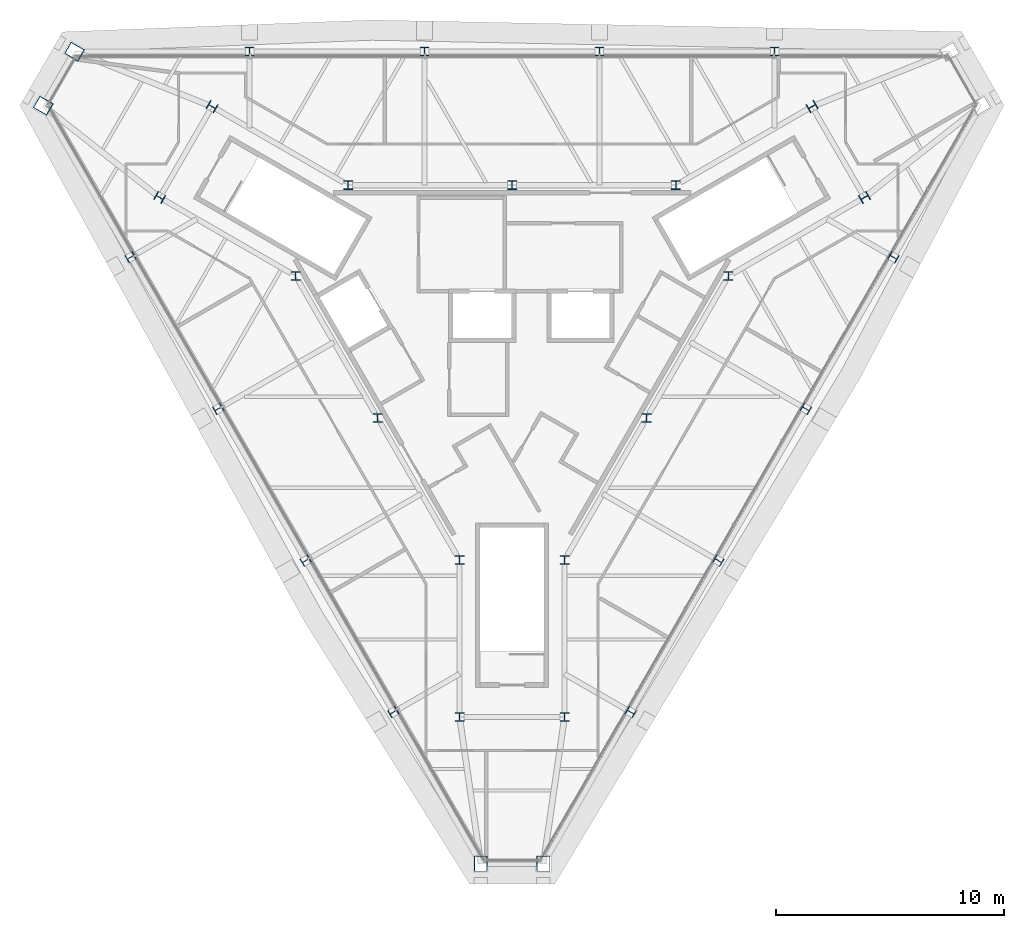
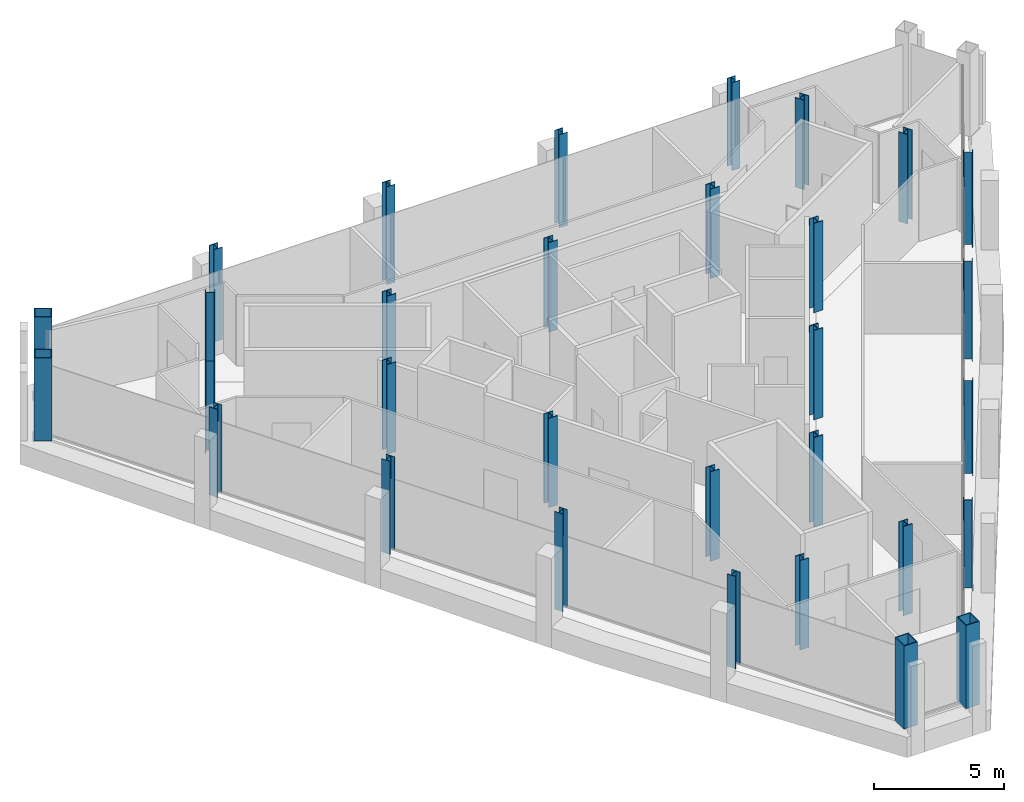
# One storey, part 1 of 11: 31 columns.
"""IFC4 building model written with IfcOpenShell, lengths in metres."""

from ifc_helpers import new_model, si_unit, direction, frame, origin, origin_2d, place, context, subcontext, project, spatial, hollow_rectangle, i_section, extrude, material, material_profile, profile_set, type_object, element, save


model = new_model("IFC4")

# Units and contexts
model_context = context("Model", 3, precision=1e-05, world=origin(), true_north=direction((0.0, 1.0)))
body_context = subcontext(model_context, "Body", "Model", "MODEL_VIEW")
ifc_project = project(units=[si_unit("LENGTHUNIT", "METRE"), si_unit("AREAUNIT", "SQUARE_METRE"), si_unit("VOLUMEUNIT", "CUBIC_METRE"), si_unit("PLANEANGLEUNIT", "RADIAN"), si_unit("MASSUNIT", "GRAM", prefix="KILO")], contexts=[model_context])

# Site, building, storey
site_placement = place(None, origin())
site = spatial("IfcSite", under=ifc_project, at=site_placement, CompositionType="ELEMENT")
building_placement = place(site_placement, origin())
building = spatial("IfcBuilding", under=site, at=building_placement, Name="Verrane Prism Tower", CompositionType="ELEMENT")
storey_placement = place(building_placement, frame((0.0, 0.0, 329.39990234375)))
storey = spatial("IfcBuildingStorey", under=building, at=storey_placement, Name="L83", CompositionType="ELEMENT", Elevation=329.39990234375)

# Columns
ifc_material_1 = material(Name="Steel A992", Category="steel")
ifc_material_profile_1 = material_profile(ifc_material_1, i_section(OverallWidth=0.398681640625, OverallDepth=0.385986328125, WebThickness=0.02099609375, FlangeThickness=0.033203125, FilletRadius=0.01513671875, at=origin_2d()), Name="W14x176")
ifc_profile_set_1 = profile_set([ifc_material_profile_1], Name="Steel A992")
column_type_1 = type_object("IfcColumnType", Name="Core corner column W14x176", PredefinedType="COLUMN", material=ifc_profile_set_1)
for number, where, z_axis, x_axis, name in (
    (1, (15.43994140625, 6.260009765625, 0.0), (0.0, 0.0, 1.0), (0.5, -0.866025403784, 0.0), "Core corner column CK-NEm L83"),
    (2, (13.139892578125, 10.239990234375, 0.0), (0.0, 0.0, 1.0), (0.5, -0.866025403784, 0.0), "Core corner column CK-NEp L83"),
    (3, (-13.139892578125, 10.239990234375, 0.0), (0.0, 0.0, 1.0), (0.5, 0.866025403784, 0.0), "Core corner column CK-NWm L83"),
    (4, (-15.43994140625, 6.260009765625, 0.0), (0.0, 0.0, 1.0), (0.5, 0.866025403784, 0.0), "Core corner column CK-NWp L83"),
    (5, (-2.300048828125, -16.5, 0.0), (0.0, 0.0, 1.0), (-1.0, 0.0, 0.0), "Core corner column CK-Sm L83"),
    (6, (2.300048828125, -16.5, 0.0), (0.0, 0.0, 1.0), (-1.0, 0.0, 0.0), "Core corner column CK-Sp L83"),
):
    element("IfcColumn", number, at=place(storey_placement, frame(where, z_axis=z_axis, x_axis=x_axis)), inside=storey, type_object=column_type_1, Name=name, PredefinedType="COLUMN", context=body_context, shape_type="SweptSolid", body=[
        extrude(i_section(OverallWidth=0.398681640625, OverallDepth=0.385986328125, WebThickness=0.02099609375, FlangeThickness=0.033203125, FilletRadius=0.01513671875, at=origin_2d()), origin(), (0.0, 0.0, 1.0), 4.2001953125),
    ])
ifc_material_2 = material(Name="Steel A992", Category="steel")
ifc_material_profile_2 = material_profile(ifc_material_2, i_section(OverallWidth=0.398681640625, OverallDepth=0.385986328125, WebThickness=0.02099609375, FlangeThickness=0.033203125, FilletRadius=0.01513671875, at=origin_2d()), Name="W14x176")
ifc_profile_set_2 = profile_set([ifc_material_profile_2], Name="Steel A992")
column_type_2 = type_object("IfcColumnType", Name="Core side column W14x176", PredefinedType="COLUMN", material=ifc_profile_set_2)
for number, where, z_axis, x_axis, name in (
    (7, (9.47998046875, 2.820068359375, 0.0), (0.0, 0.0, 1.0), (1.0, 0.0, 0.0), "Core side column CC-NEm L83"),
    (8, (7.179931640625, 6.800048828125, 0.0), (0.0, 0.0, 1.0), (1.0, 0.0, 0.0), "Core side column CC-NEp L83"),
    (9, (0.0, 6.800048828125, 0.0), (0.0, 0.0, 1.0), (1.0, 0.0, 0.0), "Core side column CC-N0 L83"),
    (10, (-7.179931640625, 6.800048828125, 0.0), (0.0, 0.0, 1.0), (1.0, 0.0, 0.0), "Core side column CC-NWm L83"),
    (11, (-9.47998046875, 2.820068359375, 0.0), (0.0, 0.0, 1.0), (1.0, 0.0, 0.0), "Core side column CC-NWp L83"),
    (12, (-5.889892578125, -3.39990234375, 0.0), (0.0, 0.0, 1.0), (1.0, 0.0, 0.0), "Core side column CC-SW0 L83"),
    (13, (-2.300048828125, -9.6201171875, 0.0), (0.0, 0.0, 1.0), (1.0, 0.0, 0.0), "Core side column CC-Sm L83"),
    (14, (2.300048828125, -9.6201171875, 0.0), (0.0, 0.0, 1.0), (1.0, 0.0, 0.0), "Core side column CC-Sp L83"),
    (15, (5.889892578125, -3.39990234375, 0.0), (0.0, 0.0, 1.0), (1.0, 0.0, 0.0), "Core side column CC-SE0 L83"),
):
    element("IfcColumn", number, at=place(storey_placement, frame(where, z_axis=z_axis, x_axis=x_axis)), inside=storey, type_object=column_type_2, Name=name, PredefinedType="COLUMN", context=body_context, shape_type="SweptSolid", body=[
        extrude(i_section(OverallWidth=0.398681640625, OverallDepth=0.385986328125, WebThickness=0.02099609375, FlangeThickness=0.033203125, FilletRadius=0.01513671875, at=origin_2d()), origin(), (0.0, 0.0, 1.0), 4.2001953125),
    ])
ifc_material_3 = material(Name="Steel A572 Grade 50", Category="steel")
ifc_material_profile_3 = material_profile(ifc_material_3, hollow_rectangle(XDim=0.60009765625, YDim=0.699951171875, WallThickness=0.0400390625, at=origin_2d()), Name="BOX 700x600x40")
ifc_profile_set_3 = profile_set([ifc_material_profile_3], Name="Steel A572 Grade 50")
column_type_3 = type_object("IfcColumnType", Name="Megacolumn BOX 700x600x40", PredefinedType="COLUMN", material=ifc_profile_set_3)
for number, where, z_axis, x_axis, name in (
    (16, (-19.169921875, 12.64990234375, 0.0), (0.0, 0.0, 1.0), (0.5, 0.866025403784, 0.0), "Megacolumn MC-NW.a L83"),
    (17, (-20.5400390625, 10.280029296875, 0.0), (0.0, 0.0, 1.0), (0.5, 0.866025403784, 0.0), "Megacolumn MC-NW.b L83"),
    (18, (-1.3701171875, -22.929931640625, 0.0), (0.0, 0.0, 1.0), (-1.0, 0.0, 0.0), "Megacolumn MC-S.a L83"),
    (19, (1.3701171875, -22.929931640625, 0.0), (0.0, 0.0, 1.0), (-1.0, 0.0, 0.0), "Megacolumn MC-S.b L83"),
):
    element("IfcColumn", number, at=place(storey_placement, frame(where, z_axis=z_axis, x_axis=x_axis)), inside=storey, type_object=column_type_3, Name=name, PredefinedType="COLUMN", context=body_context, shape_type="SweptSolid", body=[
        extrude(hollow_rectangle(XDim=0.60009765625, YDim=0.699951171875, WallThickness=0.0400390625, at=origin_2d()), origin(), (0.0, 0.0, 1.0), 3.900146484375),
    ])
ifc_material_4 = material(Name="Steel A992", Category="steel")
ifc_material_profile_4 = material_profile(ifc_material_4, i_section(OverallWidth=0.373291015625, OverallDepth=0.368408203125, WebThickness=0.014892578125, FlangeThickness=0.02392578125, FilletRadius=0.01513671875, at=origin_2d()), Name="W14x120")
ifc_profile_set_4 = profile_set([ifc_material_profile_4], Name="Steel A992")
column_type_4 = type_object("IfcColumnType", Name="Perimeter column W14x120", PredefinedType="COLUMN", material=ifc_profile_set_4)
column_1_placement = place(storey_placement, frame((11.5, 12.64990234375, 0.0), z_axis=(0.0, 0.0, 1.0), x_axis=(1.0, 0.0, 0.0)))
element("IfcColumn", 20, at=column_1_placement, inside=storey, type_object=column_type_4, Name="Perimeter column PC-N1 L83", PredefinedType="COLUMN", context=body_context, shape_type="SweptSolid", body=[
    extrude(i_section(OverallWidth=0.373291015625, OverallDepth=0.368408203125, WebThickness=0.014892578125, FlangeThickness=0.02392578125, FilletRadius=0.01513671875, at=origin_2d()), origin(), (0.0, 0.0, 1.0), 4.130126953125),
])
column_2_placement = place(storey_placement, frame((3.830078125, 12.64990234375, 0.0), z_axis=(0.0, 0.0, 1.0), x_axis=(1.0, 0.0, 0.0)))
element("IfcColumn", 21, at=column_2_placement, inside=storey, type_object=column_type_4, Name="Perimeter column PC-N2 L83", PredefinedType="COLUMN", context=body_context, shape_type="SweptSolid", body=[
    extrude(i_section(OverallWidth=0.373291015625, OverallDepth=0.368408203125, WebThickness=0.014892578125, FlangeThickness=0.02392578125, FilletRadius=0.01513671875, at=origin_2d()), origin(), (0.0, 0.0, 1.0), 4.3701171875),
])
column_3_placement = place(storey_placement, frame((-3.830078125, 12.64990234375, 0.0), z_axis=(0.0, 0.0, 1.0), x_axis=(1.0, 0.0, 0.0)))
element("IfcColumn", 22, at=column_3_placement, inside=storey, type_object=column_type_4, Name="Perimeter column PC-N3 L83", PredefinedType="COLUMN", context=body_context, shape_type="SweptSolid", body=[
    extrude(i_section(OverallWidth=0.373291015625, OverallDepth=0.368408203125, WebThickness=0.014892578125, FlangeThickness=0.02392578125, FilletRadius=0.01513671875, at=origin_2d()), origin(), (0.0, 0.0, 1.0), 4.60009765625),
])
column_4_placement = place(storey_placement, frame((-11.5, 12.64990234375, 0.0), z_axis=(0.0, 0.0, 1.0), x_axis=(1.0, 0.0, 0.0)))
element("IfcColumn", 23, at=column_4_placement, inside=storey, type_object=column_type_4, Name="Perimeter column PC-N4 L83", PredefinedType="COLUMN", context=body_context, shape_type="SweptSolid", body=[
    extrude(i_section(OverallWidth=0.373291015625, OverallDepth=0.368408203125, WebThickness=0.014892578125, FlangeThickness=0.02392578125, FilletRadius=0.01513671875, at=origin_2d()), origin(), (0.0, 0.0, 1.0), 4.340087890625),
])
column_5_placement = place(storey_placement, frame((-16.7099609375, 3.639892578125, 0.0), z_axis=(0.0, 0.0, 1.0), x_axis=(-0.5, 0.866025403784, 0.0)))
element("IfcColumn", 24, at=column_5_placement, inside=storey, type_object=column_type_4, Name="Perimeter column PC-SW1 L83", PredefinedType="COLUMN", context=body_context, shape_type="SweptSolid", body=[
    extrude(i_section(OverallWidth=0.373291015625, OverallDepth=0.368408203125, WebThickness=0.014892578125, FlangeThickness=0.02392578125, FilletRadius=0.01513671875, at=origin_2d()), origin(), (0.0, 0.0, 1.0), 4.130126953125),
])
column_6_placement = place(storey_placement, frame((-12.8701171875, -3.0, 0.0), z_axis=(0.0, 0.0, 1.0), x_axis=(-0.5, 0.866025403784, 0.0)))
element("IfcColumn", 25, at=column_6_placement, inside=storey, type_object=column_type_4, Name="Perimeter column PC-SW2 L83", PredefinedType="COLUMN", context=body_context, shape_type="SweptSolid", body=[
    extrude(i_section(OverallWidth=0.373291015625, OverallDepth=0.368408203125, WebThickness=0.014892578125, FlangeThickness=0.02392578125, FilletRadius=0.01513671875, at=origin_2d()), origin(), (0.0, 0.0, 1.0), 4.3701171875),
])
column_7_placement = place(storey_placement, frame((-9.0400390625, -9.64990234375, 0.0), z_axis=(0.0, 0.0, 1.0), x_axis=(-0.5, 0.866025403784, 0.0)))
element("IfcColumn", 26, at=column_7_placement, inside=storey, type_object=column_type_4, Name="Perimeter column PC-SW3 L83", PredefinedType="COLUMN", context=body_context, shape_type="SweptSolid", body=[
    extrude(i_section(OverallWidth=0.373291015625, OverallDepth=0.368408203125, WebThickness=0.014892578125, FlangeThickness=0.02392578125, FilletRadius=0.01513671875, at=origin_2d()), origin(), (0.0, 0.0, 1.0), 4.590087890625),
])
column_8_placement = place(storey_placement, frame((-5.199951171875, -16.2900390625, 0.0), z_axis=(0.0, 0.0, 1.0), x_axis=(-0.5, 0.866025403784, 0.0)))
element("IfcColumn", 27, at=column_8_placement, inside=storey, type_object=column_type_4, Name="Perimeter column PC-SW4 L83", PredefinedType="COLUMN", context=body_context, shape_type="SweptSolid", body=[
    extrude(i_section(OverallWidth=0.373291015625, OverallDepth=0.368408203125, WebThickness=0.014892578125, FlangeThickness=0.02392578125, FilletRadius=0.01513671875, at=origin_2d()), origin(), (0.0, 0.0, 1.0), 4.340087890625),
])
column_9_placement = place(storey_placement, frame((5.199951171875, -16.2900390625, 0.0), z_axis=(0.0, 0.0, 1.0), x_axis=(-0.5, -0.866025403784, 0.0)))
element("IfcColumn", 28, at=column_9_placement, inside=storey, type_object=column_type_4, Name="Perimeter column PC-SE1 L83", PredefinedType="COLUMN", context=body_context, shape_type="SweptSolid", body=[
    extrude(i_section(OverallWidth=0.373291015625, OverallDepth=0.368408203125, WebThickness=0.014892578125, FlangeThickness=0.02392578125, FilletRadius=0.01513671875, at=origin_2d()), origin(), (0.0, 0.0, 1.0), 4.130126953125),
])
column_10_placement = place(storey_placement, frame((9.0400390625, -9.64990234375, 0.0), z_axis=(0.0, 0.0, 1.0), x_axis=(-0.5, -0.866025403784, 0.0)))
element("IfcColumn", 29, at=column_10_placement, inside=storey, type_object=column_type_4, Name="Perimeter column PC-SE2 L83", PredefinedType="COLUMN", context=body_context, shape_type="SweptSolid", body=[
    extrude(i_section(OverallWidth=0.373291015625, OverallDepth=0.368408203125, WebThickness=0.014892578125, FlangeThickness=0.02392578125, FilletRadius=0.01513671875, at=origin_2d()), origin(), (0.0, 0.0, 1.0), 4.360107421875),
])
column_11_placement = place(storey_placement, frame((12.8701171875, -3.0, 0.0), z_axis=(0.0, 0.0, 1.0), x_axis=(-0.5, -0.866025403784, 0.0)))
element("IfcColumn", 30, at=column_11_placement, inside=storey, type_object=column_type_4, Name="Perimeter column PC-SE3 L83", PredefinedType="COLUMN", context=body_context, shape_type="SweptSolid", body=[
    extrude(i_section(OverallWidth=0.373291015625, OverallDepth=0.368408203125, WebThickness=0.014892578125, FlangeThickness=0.02392578125, FilletRadius=0.01513671875, at=origin_2d()), origin(), (0.0, 0.0, 1.0), 4.60009765625),
])
column_12_placement = place(storey_placement, frame((16.7099609375, 3.639892578125, 0.0), z_axis=(0.0, 0.0, 1.0), x_axis=(-0.5, -0.866025403784, 0.0)))
element("IfcColumn", 31, at=column_12_placement, inside=storey, type_object=column_type_4, Name="Perimeter column PC-SE4 L83", PredefinedType="COLUMN", context=body_context, shape_type="SweptSolid", body=[
    extrude(i_section(OverallWidth=0.373291015625, OverallDepth=0.368408203125, WebThickness=0.014892578125, FlangeThickness=0.02392578125, FilletRadius=0.01513671875, at=origin_2d()), origin(), (0.0, 0.0, 1.0), 4.340087890625),
])

save(model, "model.ifc")
